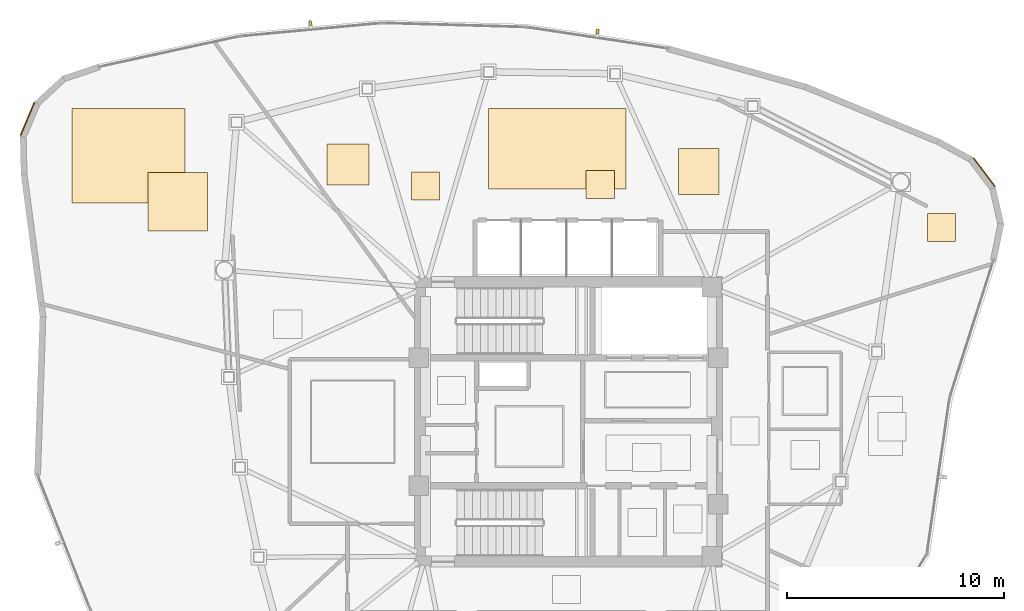
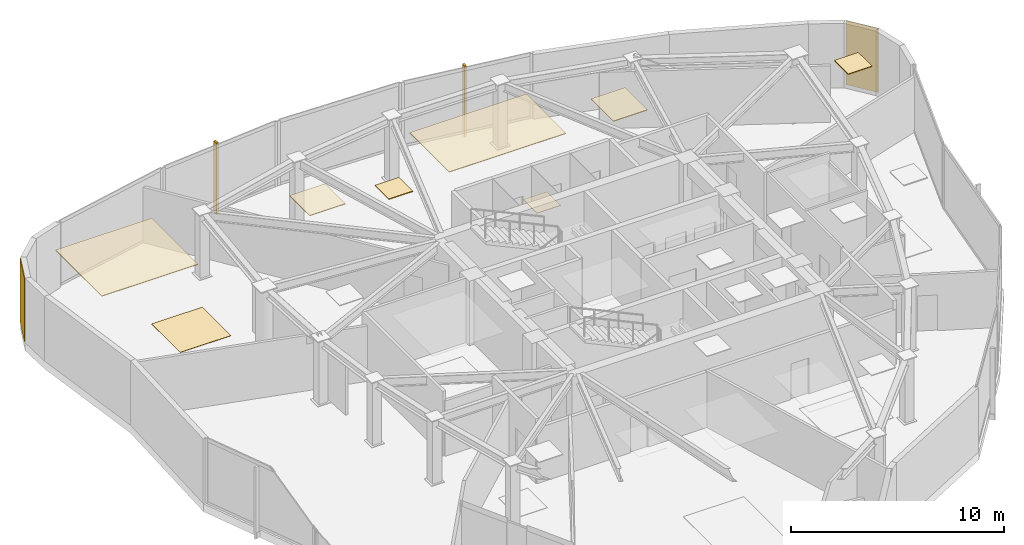
# One storey, part 14 of 14: 10 coverings, 2 shading devices.
"""IFC4 building model written with IfcOpenShell, lengths in metres."""

from ifc_helpers import new_model, si_unit, direction, frame, origin, origin_2d, place, context, subcontext, project, spatial, polyline, rectangle, outline, extrude, source, transform, mapped, material, layer, layer_set, type_object, type_shapes, element, save


model = new_model("IFC4")

# Units and contexts
model_context = context("Model", 3, precision=1e-05, world=origin(), true_north=direction((0.0, 1.0)))
body_context = subcontext(model_context, "Body", "Model", "MODEL_VIEW")
ifc_project = project(units=[si_unit("LENGTHUNIT", "METRE"), si_unit("AREAUNIT", "SQUARE_METRE"), si_unit("VOLUMEUNIT", "CUBIC_METRE"), si_unit("PLANEANGLEUNIT", "RADIAN"), si_unit("MASSUNIT", "GRAM", prefix="KILO")], contexts=[model_context])

# Site, building, storey
site_placement = place(None, origin())
site = spatial("IfcSite", under=ifc_project, at=site_placement, CompositionType="ELEMENT")
building_placement = place(site_placement, origin())
building = spatial("IfcBuilding", under=site, at=building_placement, Name="Tavelor Broadcast Tower", CompositionType="ELEMENT")
storey_placement = place(building_placement, frame((0.0, 0.0, 273.5)))
storey = spatial("IfcBuildingStorey", under=building, at=storey_placement, Name="L65", CompositionType="ELEMENT", Elevation=273.5)

# Coverings
ifc_material_1 = material(Name="Copper-Bronze Anodized Aluminium", Category="aluminium")
ifc_layer_1 = layer(ifc_material_1, 0.050048828125)
ifc_layer_set_1 = layer_set([ifc_layer_1], Name="Copper-Bronze Anodized Aluminium")
covering_type_1 = type_object("IfcCoveringType", Name="Champagne-Bronze Corner Pier Metal Cladding 50 mm", PredefinedType="CLADDING", material=ifc_layer_set_1)
for number, where, z_axis, x_axis, name in (
    (1, (25.048583984375, 58.96484375, 0.02001953125), (0.0, 0.0, 1.0), (-0.389927687788, -0.920845480141, 0.0), "L65 Champagne-Bronze Corner Cladding 03"),
    (2, (69.16943359375, 56.50830078125, 0.02001953125), (0.0, 0.0, 1.0), (-0.602511734868, 0.798110023334, 0.0), "L65 Champagne-Bronze Corner Cladding 23"),
):
    element("IfcCovering", number, at=place(storey_placement, frame(where, z_axis=z_axis, x_axis=x_axis)), inside=storey, type_object=covering_type_1, Name=name, PredefinedType="CLADDING", context=body_context, shape_type="SweptSolid", body=[
        extrude(rectangle(XDim=1.642578125, YDim=0.050048828125, at=origin_2d()), origin(), (0.0, 0.0, 1.0), 3.659912109375),
    ])
ifc_material_2 = material(Name="Acoustic Nylon Carpet Tile")
ifc_layer_2 = layer(ifc_material_2, 0.02001953125)
ifc_layer_set_2 = layer_set([ifc_layer_2], Name="Acoustic Nylon Carpet Tile")
covering_type_2 = type_object("IfcCoveringType", Name="Heavy-Duty Acoustic Broadcast Carpet Tile 20 mm", PredefinedType="FLOORING", material=ifc_layer_set_2)
covering_1_placement = place(storey_placement, origin())
element("IfcCovering", 3, at=covering_1_placement, inside=storey, type_object=covering_type_2, Name="L65 Broadcast Floor Finish 0978", PredefinedType="FLOORING", context=body_context, shape_type="SweptSolid", body=[
    extrude(outline(polyline([(30.617919921875, 53.803466796875), (33.360595703125, 53.803466796875), (33.360595703125, 56.49365234375), (30.617919921875, 56.49365234375), (30.617919921875, 53.803466796875)])), origin(), (0.0, 0.0, 1.0), 0.02001953125),
])
covering_2_placement = place(storey_placement, origin())
element("IfcCovering", 4, at=covering_2_placement, inside=storey, type_object=covering_type_2, Name="L65 Broadcast Floor Finish 0979", PredefinedType="FLOORING", context=body_context, shape_type="SweptSolid", body=[
    extrude(outline(polyline([(50.815185546875, 55.29248046875), (52.114990234375, 55.29248046875), (52.114990234375, 56.592529296875), (50.815185546875, 56.592529296875), (50.815185546875, 55.29248046875)])), origin(), (0.0, 0.0, 1.0), 0.02001953125),
])
ifc_material_3 = material(Name="Acoustic Mineral Fibre Tile")
ifc_layer_3 = layer(ifc_material_3, 0.0400390625)
ifc_layer_set_3 = layer_set([ifc_layer_3], Name="Acoustic Mineral Fibre Tile")
covering_type_3 = type_object("IfcCoveringType", Name="Suspended Acoustic Mineral-Fibre Office Ceiling 40 mm", PredefinedType="CEILING", material=ifc_layer_set_3)
covering_3_placement = place(storey_placement, frame((0.0, 0.0, 3.659912109375)))
element("IfcCovering", 5, at=covering_3_placement, inside=storey, type_object=covering_type_3, Name="L65 Suspended Acoustic Ceiling 2530", PredefinedType="CEILING", context=body_context, shape_type="SweptSolid", body=[
    extrude(outline(polyline([(27.10302734375, 55.089599609375), (32.322021484375, 55.089599609375), (32.322021484375, 59.447509765625), (27.10302734375, 59.447509765625), (27.10302734375, 55.089599609375)])), origin(), (0.0, 0.0, 1.0), 0.0400390625),
])
covering_4_placement = place(storey_placement, frame((0.0, 0.0, 3.659912109375)))
element("IfcCovering", 6, at=covering_4_placement, inside=storey, type_object=covering_type_3, Name="L65 Suspended Acoustic Ceiling 2532", PredefinedType="CEILING", context=body_context, shape_type="SweptSolid", body=[
    extrude(outline(polyline([(55.07568359375, 55.482666015625), (56.927490234375, 55.482666015625), (56.927490234375, 57.5908203125), (55.07568359375, 57.5908203125), (55.07568359375, 55.482666015625)])), origin(), (0.0, 0.0, 1.0), 0.0400390625),
])
covering_5_placement = place(storey_placement, frame((0.0, 0.0, 3.659912109375)))
element("IfcCovering", 7, at=covering_5_placement, inside=storey, type_object=covering_type_3, Name="L65 Suspended Acoustic Ceiling 2533", PredefinedType="CEILING", context=body_context, shape_type="SweptSolid", body=[
    extrude(outline(polyline([(66.552001953125, 53.306396484375), (67.85205078125, 53.306396484375), (67.85205078125, 54.6064453125), (66.552001953125, 54.6064453125), (66.552001953125, 53.306396484375)])), origin(), (0.0, 0.0, 1.0), 0.0400390625),
])
covering_6_placement = place(storey_placement, frame((0.0, 0.0, 3.659912109375)))
element("IfcCovering", 8, at=covering_6_placement, inside=storey, type_object=covering_type_3, Name="L65 Suspended Acoustic Ceiling 2534", PredefinedType="CEILING", context=body_context, shape_type="SweptSolid", body=[
    extrude(outline(polyline([(46.319580078125, 55.73388671875), (52.656982421875, 55.73388671875), (52.656982421875, 59.45751953125), (46.319580078125, 59.45751953125), (46.319580078125, 55.73388671875)])), origin(), (0.0, 0.0, 1.0), 0.0400390625),
])
covering_7_placement = place(storey_placement, frame((0.0, 0.0, 3.659912109375)))
element("IfcCovering", 9, at=covering_7_placement, inside=storey, type_object=covering_type_3, Name="L65 Suspended Acoustic Ceiling 2535", PredefinedType="CEILING", context=body_context, shape_type="SweptSolid", body=[
    extrude(outline(polyline([(42.75146484375, 55.229248046875), (44.051513671875, 55.229248046875), (44.051513671875, 56.529296875), (42.75146484375, 56.529296875), (42.75146484375, 55.229248046875)])), origin(), (0.0, 0.0, 1.0), 0.0400390625),
])
covering_8_placement = place(storey_placement, frame((0.0, 0.0, 3.659912109375)))
element("IfcCovering", 10, at=covering_8_placement, inside=storey, type_object=covering_type_3, Name="L65 Suspended Acoustic Ceiling 2536", PredefinedType="CEILING", context=body_context, shape_type="SweptSolid", body=[
    extrude(outline(polyline([(38.8564453125, 55.916015625), (40.789794921875, 55.916015625), (40.789794921875, 57.81591796875), (38.8564453125, 57.81591796875), (38.8564453125, 55.916015625)])), origin(), (0.0, 0.0, 1.0), 0.0400390625),
])

# Shading devices
ifc_material_4 = material(Name="Kiln-Fired Glazed Terracotta", Category="masonry")
shading_device_type = type_object("IfcShadingDeviceType", Name="Extruded Terracotta Baguette Sun-Screen 110x240", PredefinedType="JALOUSIE", material=ifc_material_4)
shared_shape = source(origin(), body_context, "Body", "SweptSolid", [
    extrude(rectangle(XDim=0.110107421875, YDim=0.239990234375, at=origin_2d()), origin(), (0.0, 0.0, 1.0), 4.090087890625),
])
type_shapes(shading_device_type, [shared_shape])
for number, where, z_axis, x_axis, name in (
    (11, (51.340087890625, 63.003173828125, -0.41015625), (0.0, 0.0, 1.0), (-0.988808518489, 0.149190193254, 0.0), "L65 Terracotta Baguette Fin 665"),
    (12, (38.089599609375, 63.37890625, -0.41015625), (0.0, 0.0, 1.0), (-0.995676196569, -0.092891934994, 0.0), "L65 Terracotta Baguette Fin 666"),
):
    element("IfcShadingDevice", number, at=place(storey_placement, frame(where, z_axis=z_axis, x_axis=x_axis)), inside=storey, type_object=shading_device_type, Name=name, PredefinedType="JALOUSIE", context=body_context, shape_type="MappedRepresentation", body=[
        mapped(shared_shape, transform((0.0, 0.0, 0.0), scale=1.0)),
    ])

save(model, "model.ifc")
